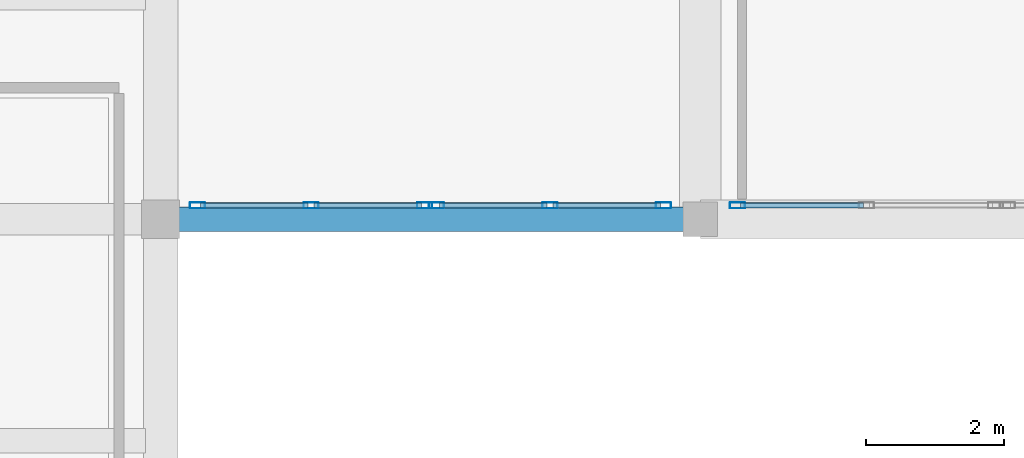
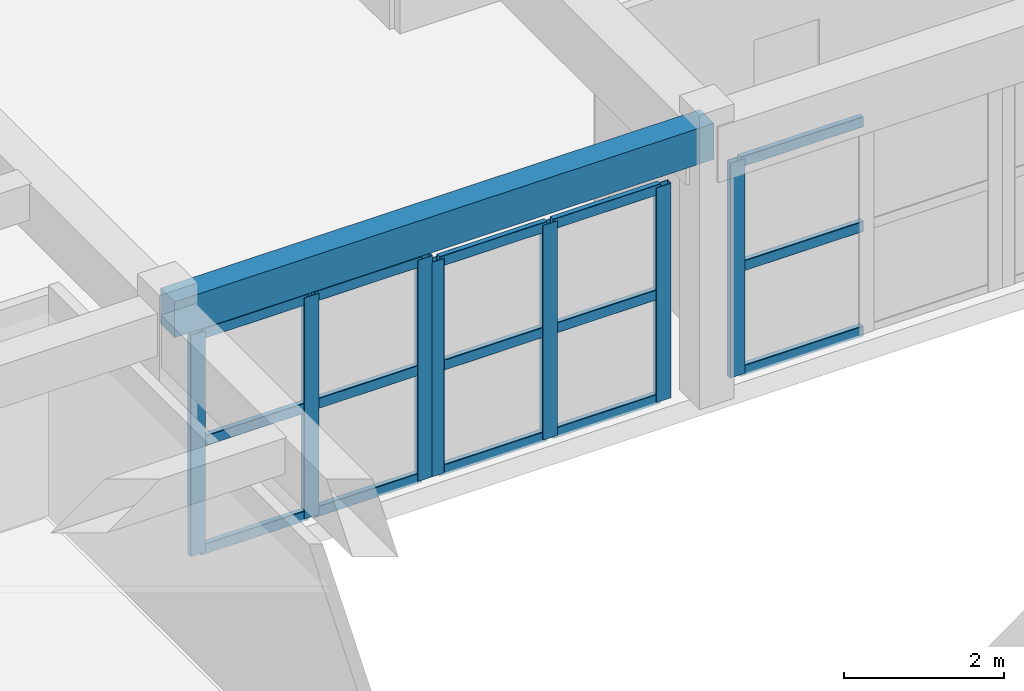
# One storey, part 20 of 91: 22 members, 1 beam, 3 elements without a shape of their own.
"""IFC4 building model written with IfcOpenShell, lengths in metres."""

from ifc_helpers import new_model, si_unit, direction, frame, origin, origin_2d, place, context, subcontext, project, spatial, rectangle, hollow_rectangle, extrude, material, layer, layer_set, material_profile, profile_set, type_object, element, aggregate, save


model = new_model("IFC4")

# Units and contexts
model_context = context("Model", 3, precision=1e-05, world=origin(), true_north=direction((0.0, 1.0)))
body_context = subcontext(model_context, "Body", "Model", "MODEL_VIEW")
ifc_project = project(units=[si_unit("LENGTHUNIT", "METRE"), si_unit("AREAUNIT", "SQUARE_METRE"), si_unit("VOLUMEUNIT", "CUBIC_METRE"), si_unit("PLANEANGLEUNIT", "RADIAN"), si_unit("MASSUNIT", "GRAM", prefix="KILO")], contexts=[model_context])

# Site, building, storey
site_placement = place(None, origin())
site = spatial("IfcSite", under=ifc_project, at=site_placement, CompositionType="ELEMENT")
building_placement = place(site_placement, origin())
building = spatial("IfcBuilding", under=site, at=building_placement, Name="Tarnavel Promenade Courthouse", CompositionType="ELEMENT")
storey_placement = place(building_placement, frame((0.0, 0.0, 9.89990234375)))
storey = spatial("IfcBuildingStorey", under=building, at=storey_placement, Name="L03", CompositionType="ELEMENT", Elevation=9.89990234375)

# Beam
ifc_material_1 = material(Name="Concrete C40/50", Category="concrete")
ifc_material_profile_1 = material_profile(ifc_material_1, rectangle(XDim=0.35009765625, YDim=0.550048828125, at=origin_2d()), Name="RC 350x550")
ifc_profile_set_1 = profile_set([ifc_material_profile_1], Name="Concrete C40/50")
beam_type = type_object("IfcBeamType", Name="Concrete C40/50 BM-RC-350x550 (RC 350x550)", PredefinedType="BEAM", material=ifc_profile_set_1)
beam_placement = place(storey_placement, frame((38.39990234375, 46.800048828125, 3.97021484375), z_axis=(1.0, 0.0, 0.0), x_axis=(0.0, 1.0, 0.0)))
element("IfcBeam", 1, at=beam_placement, inside=storey, type_object=beam_type, Name="L03 Primary Longitudinal Beam 1569", PredefinedType="BEAM", context=body_context, shape_type="SweptSolid", body=[
    extrude(rectangle(XDim=0.35009765625, YDim=0.550048828125, at=origin_2d()), origin(), (0.0, 0.0, 1.0), 7.800048828125),
])

# Curtain wall, members
ifc_material_2 = material(Name="Thermally Broken Anodised Aluminium Curtain Wall System", Category="aluminium")
ifc_layer = layer(ifc_material_2, 0.239990234375)
ifc_layer_set = layer_set([ifc_layer], Name="Thermally Broken Anodised Aluminium Curtain Wall System")
curtain_wall_type = type_object("IfcCurtainWallType", Name="Thermally Broken Aluminium Triple-Glazed Curtain Wall CW-WG-S", PredefinedType="NOTDEFINED", material=ifc_layer_set)
curtain_wall_1_placement = place(storey_placement, origin())
curtain_wall_1 = element("IfcCurtainWall", 2, at=curtain_wall_1_placement, inside=storey, type_object=curtain_wall_type, Name="L03 Winter-Garden South Solar Curtain Wall 082", PredefinedType="NOTDEFINED")
ifc_material_3 = material(Name="Thermally Broken Anodised Aluminium Frame", Category="aluminium")
ifc_material_profile_2 = material_profile(ifc_material_3, hollow_rectangle(XDim=0.090087890625, YDim=0.219970703125, WallThickness=0.0048828125, InnerFilletRadius=0.0048828125, OuterFilletRadius=0.010009765625, at=origin_2d()), Name="CWM 220x90x5")
ifc_profile_set_2 = profile_set([ifc_material_profile_2], Name="Thermally Broken Anodised Aluminium Frame")
member_type_1 = type_object("IfcMemberType", Name="Thermally Broken Anodised Aluminium CWM-175 (CWM 220x90x5)", PredefinedType="MULLION", material=ifc_profile_set_2)
member_1_placement = place(storey_placement, frame((38.93505859375, 47.0, 0.0), z_axis=(0.0, 0.0, 1.0), x_axis=(0.0, 1.0, 0.0)))
member_1 = element("IfcMember", 3, at=member_1_placement, type_object=member_type_1, Name="CW-02 mullion 1", PredefinedType="MULLION", context=body_context, shape_type="SweptSolid", body=[
    extrude(hollow_rectangle(XDim=0.090087890625, YDim=0.219970703125, WallThickness=0.0048828125, InnerFilletRadius=0.0048828125, OuterFilletRadius=0.010009765625, at=origin_2d()), origin(), (0.0, 0.0, 1.0), 3.380126953125),
])
member_2_placement = place(storey_placement, frame((40.574951171875, 47.0, 0.0), z_axis=(0.0, 0.0, 1.0), x_axis=(0.0, 1.0, 0.0)))
member_2 = element("IfcMember", 4, at=member_2_placement, type_object=member_type_1, Name="CW-02 mullion 2", PredefinedType="MULLION", context=body_context, shape_type="SweptSolid", body=[
    extrude(hollow_rectangle(XDim=0.090087890625, YDim=0.219970703125, WallThickness=0.0048828125, InnerFilletRadius=0.0048828125, OuterFilletRadius=0.010009765625, at=origin_2d()), origin(), (0.0, 0.0, 1.0), 3.380126953125),
])
member_3_placement = place(storey_placement, frame((42.215087890625, 47.0, 0.0), z_axis=(0.0, 0.0, 1.0), x_axis=(0.0, 1.0, 0.0)))
member_3 = element("IfcMember", 5, at=member_3_placement, type_object=member_type_1, Name="CW-02 mullion 3", PredefinedType="MULLION", context=body_context, shape_type="SweptSolid", body=[
    extrude(hollow_rectangle(XDim=0.090087890625, YDim=0.219970703125, WallThickness=0.0048828125, InnerFilletRadius=0.0048828125, OuterFilletRadius=0.010009765625, at=origin_2d()), origin(), (0.0, 0.0, 1.0), 3.380126953125),
])

curtain_wall_2_placement = place(storey_placement, origin())
curtain_wall_2 = element("IfcCurtainWall", 6, at=curtain_wall_2_placement, inside=storey, type_object=curtain_wall_type, Name="L03 Winter-Garden South Solar Curtain Wall 083", PredefinedType="NOTDEFINED")
member_4_placement = place(storey_placement, frame((42.385009765625, 47.0, 0.0), z_axis=(0.0, 0.0, 1.0), x_axis=(0.0, 1.0, 0.0)))
member_4 = element("IfcMember", 7, at=member_4_placement, type_object=member_type_1, Name="CW-02 mullion 1", PredefinedType="MULLION", context=body_context, shape_type="SweptSolid", body=[
    extrude(hollow_rectangle(XDim=0.090087890625, YDim=0.219970703125, WallThickness=0.0048828125, InnerFilletRadius=0.0048828125, OuterFilletRadius=0.010009765625, at=origin_2d()), origin(), (0.0, 0.0, 1.0), 3.280029296875),
])
member_5_placement = place(storey_placement, frame((44.02490234375, 47.0, 0.0), z_axis=(0.0, 0.0, 1.0), x_axis=(0.0, 1.0, 0.0)))
member_5 = element("IfcMember", 8, at=member_5_placement, type_object=member_type_1, Name="CW-02 mullion 2", PredefinedType="MULLION", context=body_context, shape_type="SweptSolid", body=[
    extrude(hollow_rectangle(XDim=0.090087890625, YDim=0.219970703125, WallThickness=0.0048828125, InnerFilletRadius=0.0048828125, OuterFilletRadius=0.010009765625, at=origin_2d()), origin(), (0.0, 0.0, 1.0), 3.280029296875),
])
member_6_placement = place(storey_placement, frame((45.6650390625, 47.0, 0.0), z_axis=(0.0, 0.0, 1.0), x_axis=(0.0, 1.0, 0.0)))
member_6 = element("IfcMember", 9, at=member_6_placement, type_object=member_type_1, Name="CW-02 mullion 3", PredefinedType="MULLION", context=body_context, shape_type="SweptSolid", body=[
    extrude(hollow_rectangle(XDim=0.090087890625, YDim=0.219970703125, WallThickness=0.0048828125, InnerFilletRadius=0.0048828125, OuterFilletRadius=0.010009765625, at=origin_2d()), origin(), (0.0, 0.0, 1.0), 3.280029296875),
])

# Curtain wall, member
curtain_wall_3_placement = place(storey_placement, origin())
curtain_wall_3 = element("IfcCurtainWall", 10, at=curtain_wall_3_placement, inside=storey, type_object=curtain_wall_type, Name="L03 Winter-Garden South Solar Curtain Wall 084", PredefinedType="NOTDEFINED")
member_7_placement = place(storey_placement, frame((46.735107421875, 47.0, 0.0), z_axis=(0.0, 0.0, 1.0), x_axis=(0.0, 1.0, 0.0)))
member_7 = element("IfcMember", 11, at=member_7_placement, type_object=member_type_1, Name="CW-02 mullion 1", PredefinedType="MULLION", context=body_context, shape_type="SweptSolid", body=[
    extrude(hollow_rectangle(XDim=0.090087890625, YDim=0.219970703125, WallThickness=0.0048828125, InnerFilletRadius=0.0048828125, OuterFilletRadius=0.010009765625, at=origin_2d()), origin(), (0.0, 0.0, 1.0), 3.280029296875),
])

# Member
ifc_material_profile_3 = material_profile(ifc_material_3, hollow_rectangle(XDim=0.080078125, YDim=0.159912109375, WallThickness=0.0048828125, InnerFilletRadius=0.0048828125, OuterFilletRadius=0.010009765625, at=origin_2d()), Name="CWT 160x80x5")
ifc_profile_set_3 = profile_set([ifc_material_profile_3], Name="Thermally Broken Anodised Aluminium Frame")
member_type_2 = type_object("IfcMemberType", Name="Thermally Broken Anodised Aluminium CWT-145 (CWT 160x80x5)", PredefinedType="USERDEFINED", material=ifc_profile_set_3)
member_8_placement = place(storey_placement, frame((38.97998046875, 47.0, 0.0400390625), z_axis=(1.0, 0.0, 0.0), x_axis=(0.0, 1.0, 0.0)))
member_8 = element("IfcMember", 12, at=member_8_placement, type_object=member_type_2, Name="CW-02 transom 1.1", ObjectType="TRANSOM", PredefinedType="USERDEFINED", context=body_context, shape_type="SweptSolid", body=[
    extrude(hollow_rectangle(XDim=0.080078125, YDim=0.159912109375, WallThickness=0.0048828125, InnerFilletRadius=0.0048828125, OuterFilletRadius=0.010009765625, at=origin_2d()), origin(), (0.0, 0.0, 1.0), 1.550048828125),
])

member_9_placement = place(storey_placement, frame((38.97998046875, 47.0, 1.690185546875), z_axis=(1.0, 0.0, 0.0), x_axis=(0.0, 1.0, 0.0)))
member_9 = element("IfcMember", 13, at=member_9_placement, type_object=member_type_2, Name="CW-02 transom 1.2", ObjectType="TRANSOM", PredefinedType="USERDEFINED", context=body_context, shape_type="SweptSolid", body=[
    extrude(hollow_rectangle(XDim=0.080078125, YDim=0.159912109375, WallThickness=0.0048828125, InnerFilletRadius=0.0048828125, OuterFilletRadius=0.010009765625, at=origin_2d()), origin(), (0.0, 0.0, 1.0), 1.550048828125),
])

member_10_placement = place(storey_placement, frame((38.97998046875, 47.0, 3.340087890625), z_axis=(1.0, 0.0, 0.0), x_axis=(0.0, 1.0, 0.0)))
member_10 = element("IfcMember", 14, at=member_10_placement, type_object=member_type_2, Name="CW-02 transom 1.3", ObjectType="TRANSOM", PredefinedType="USERDEFINED", context=body_context, shape_type="SweptSolid", body=[
    extrude(hollow_rectangle(XDim=0.080078125, YDim=0.159912109375, WallThickness=0.0048828125, InnerFilletRadius=0.0048828125, OuterFilletRadius=0.010009765625, at=origin_2d()), origin(), (0.0, 0.0, 1.0), 1.550048828125),
])

member_11_placement = place(storey_placement, frame((40.6201171875, 47.0, 0.0400390625), z_axis=(1.0, 0.0, 0.0), x_axis=(0.0, 1.0, 0.0)))
member_11 = element("IfcMember", 15, at=member_11_placement, type_object=member_type_2, Name="CW-02 transom 2.1", ObjectType="TRANSOM", PredefinedType="USERDEFINED", context=body_context, shape_type="SweptSolid", body=[
    extrude(hollow_rectangle(XDim=0.080078125, YDim=0.159912109375, WallThickness=0.0048828125, InnerFilletRadius=0.0048828125, OuterFilletRadius=0.010009765625, at=origin_2d()), origin(), (0.0, 0.0, 1.0), 1.5498046875),
])

member_12_placement = place(storey_placement, frame((40.6201171875, 47.0, 1.690185546875), z_axis=(1.0, 0.0, 0.0), x_axis=(0.0, 1.0, 0.0)))
member_12 = element("IfcMember", 16, at=member_12_placement, type_object=member_type_2, Name="CW-02 transom 2.2", ObjectType="TRANSOM", PredefinedType="USERDEFINED", context=body_context, shape_type="SweptSolid", body=[
    extrude(hollow_rectangle(XDim=0.080078125, YDim=0.159912109375, WallThickness=0.0048828125, InnerFilletRadius=0.0048828125, OuterFilletRadius=0.010009765625, at=origin_2d()), origin(), (0.0, 0.0, 1.0), 1.5498046875),
])

member_13_placement = place(storey_placement, frame((40.6201171875, 47.0, 3.340087890625), z_axis=(1.0, 0.0, 0.0), x_axis=(0.0, 1.0, 0.0)))
member_13 = element("IfcMember", 17, at=member_13_placement, type_object=member_type_2, Name="CW-02 transom 2.3", ObjectType="TRANSOM", PredefinedType="USERDEFINED", context=body_context, shape_type="SweptSolid", body=[
    extrude(hollow_rectangle(XDim=0.080078125, YDim=0.159912109375, WallThickness=0.0048828125, InnerFilletRadius=0.0048828125, OuterFilletRadius=0.010009765625, at=origin_2d()), origin(), (0.0, 0.0, 1.0), 1.5498046875),
])

aggregate(curtain_wall_1, [member_1, member_2, member_3, member_8, member_9, member_10, member_11, member_12, member_13])

member_14_placement = place(storey_placement, frame((42.429931640625, 47.0, 0.0400390625), z_axis=(1.0, 0.0, 0.0), x_axis=(0.0, 1.0, 0.0)))
member_14 = element("IfcMember", 18, at=member_14_placement, type_object=member_type_2, Name="CW-02 transom 1.1", ObjectType="TRANSOM", PredefinedType="USERDEFINED", context=body_context, shape_type="SweptSolid", body=[
    extrude(hollow_rectangle(XDim=0.080078125, YDim=0.159912109375, WallThickness=0.0048828125, InnerFilletRadius=0.0048828125, OuterFilletRadius=0.010009765625, at=origin_2d()), origin(), (0.0, 0.0, 1.0), 1.550048828125),
])

member_15_placement = place(storey_placement, frame((42.429931640625, 47.0, 1.64013671875), z_axis=(1.0, 0.0, 0.0), x_axis=(0.0, 1.0, 0.0)))
member_15 = element("IfcMember", 19, at=member_15_placement, type_object=member_type_2, Name="CW-02 transom 1.2", ObjectType="TRANSOM", PredefinedType="USERDEFINED", context=body_context, shape_type="SweptSolid", body=[
    extrude(hollow_rectangle(XDim=0.080078125, YDim=0.159912109375, WallThickness=0.0048828125, InnerFilletRadius=0.0048828125, OuterFilletRadius=0.010009765625, at=origin_2d()), origin(), (0.0, 0.0, 1.0), 1.550048828125),
])

member_16_placement = place(storey_placement, frame((42.429931640625, 47.0, 3.239990234375), z_axis=(1.0, 0.0, 0.0), x_axis=(0.0, 1.0, 0.0)))
member_16 = element("IfcMember", 20, at=member_16_placement, type_object=member_type_2, Name="CW-02 transom 1.3", ObjectType="TRANSOM", PredefinedType="USERDEFINED", context=body_context, shape_type="SweptSolid", body=[
    extrude(hollow_rectangle(XDim=0.080078125, YDim=0.159912109375, WallThickness=0.0048828125, InnerFilletRadius=0.0048828125, OuterFilletRadius=0.010009765625, at=origin_2d()), origin(), (0.0, 0.0, 1.0), 1.550048828125),
])

member_17_placement = place(storey_placement, frame((44.070068359375, 47.0, 0.0400390625), z_axis=(1.0, 0.0, 0.0), x_axis=(0.0, 1.0, 0.0)))
member_17 = element("IfcMember", 21, at=member_17_placement, type_object=member_type_2, Name="CW-02 transom 2.1", ObjectType="TRANSOM", PredefinedType="USERDEFINED", context=body_context, shape_type="SweptSolid", body=[
    extrude(hollow_rectangle(XDim=0.080078125, YDim=0.159912109375, WallThickness=0.0048828125, InnerFilletRadius=0.0048828125, OuterFilletRadius=0.010009765625, at=origin_2d()), origin(), (0.0, 0.0, 1.0), 1.550048828125),
])

member_18_placement = place(storey_placement, frame((44.070068359375, 47.0, 1.64013671875), z_axis=(1.0, 0.0, 0.0), x_axis=(0.0, 1.0, 0.0)))
member_18 = element("IfcMember", 22, at=member_18_placement, type_object=member_type_2, Name="CW-02 transom 2.2", ObjectType="TRANSOM", PredefinedType="USERDEFINED", context=body_context, shape_type="SweptSolid", body=[
    extrude(hollow_rectangle(XDim=0.080078125, YDim=0.159912109375, WallThickness=0.0048828125, InnerFilletRadius=0.0048828125, OuterFilletRadius=0.010009765625, at=origin_2d()), origin(), (0.0, 0.0, 1.0), 1.550048828125),
])

member_19_placement = place(storey_placement, frame((44.070068359375, 47.0, 3.239990234375), z_axis=(1.0, 0.0, 0.0), x_axis=(0.0, 1.0, 0.0)))
member_19 = element("IfcMember", 23, at=member_19_placement, type_object=member_type_2, Name="CW-02 transom 2.3", ObjectType="TRANSOM", PredefinedType="USERDEFINED", context=body_context, shape_type="SweptSolid", body=[
    extrude(hollow_rectangle(XDim=0.080078125, YDim=0.159912109375, WallThickness=0.0048828125, InnerFilletRadius=0.0048828125, OuterFilletRadius=0.010009765625, at=origin_2d()), origin(), (0.0, 0.0, 1.0), 1.550048828125),
])

aggregate(curtain_wall_2, [member_4, member_5, member_6, member_14, member_15, member_16, member_17, member_18, member_19])

member_20_placement = place(storey_placement, frame((46.780029296875, 47.0, 0.0400390625), z_axis=(1.0, 0.0, 0.0), x_axis=(0.0, 1.0, 0.0)))
member_20 = element("IfcMember", 24, at=member_20_placement, type_object=member_type_2, Name="CW-02 transom 1.1", ObjectType="TRANSOM", PredefinedType="USERDEFINED", context=body_context, shape_type="SweptSolid", body=[
    extrude(hollow_rectangle(XDim=0.080078125, YDim=0.159912109375, WallThickness=0.0048828125, InnerFilletRadius=0.0048828125, OuterFilletRadius=0.010009765625, at=origin_2d()), origin(), (0.0, 0.0, 1.0), 1.77490234375),
])

member_21_placement = place(storey_placement, frame((46.780029296875, 47.0, 1.64013671875), z_axis=(1.0, 0.0, 0.0), x_axis=(0.0, 1.0, 0.0)))
member_21 = element("IfcMember", 25, at=member_21_placement, type_object=member_type_2, Name="CW-02 transom 1.2", ObjectType="TRANSOM", PredefinedType="USERDEFINED", context=body_context, shape_type="SweptSolid", body=[
    extrude(hollow_rectangle(XDim=0.080078125, YDim=0.159912109375, WallThickness=0.0048828125, InnerFilletRadius=0.0048828125, OuterFilletRadius=0.010009765625, at=origin_2d()), origin(), (0.0, 0.0, 1.0), 1.77490234375),
])

member_22_placement = place(storey_placement, frame((46.780029296875, 47.0, 3.239990234375), z_axis=(1.0, 0.0, 0.0), x_axis=(0.0, 1.0, 0.0)))
member_22 = element("IfcMember", 26, at=member_22_placement, type_object=member_type_2, Name="CW-02 transom 1.3", ObjectType="TRANSOM", PredefinedType="USERDEFINED", context=body_context, shape_type="SweptSolid", body=[
    extrude(hollow_rectangle(XDim=0.080078125, YDim=0.159912109375, WallThickness=0.0048828125, InnerFilletRadius=0.0048828125, OuterFilletRadius=0.010009765625, at=origin_2d()), origin(), (0.0, 0.0, 1.0), 1.77490234375),
])

aggregate(curtain_wall_3, [member_7, member_20, member_21, member_22])

save(model, "model.ifc")
